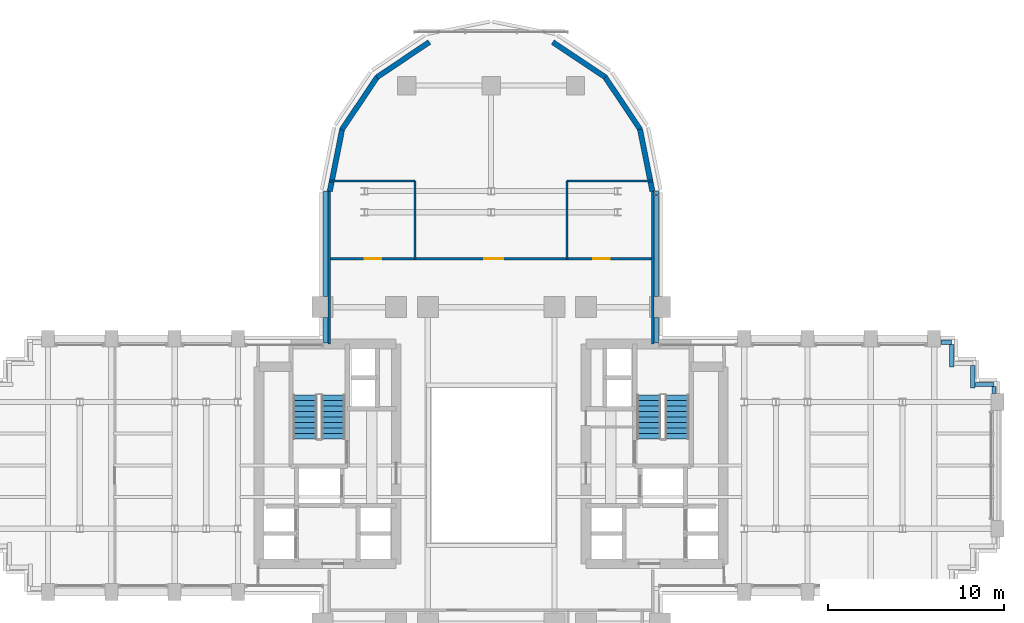
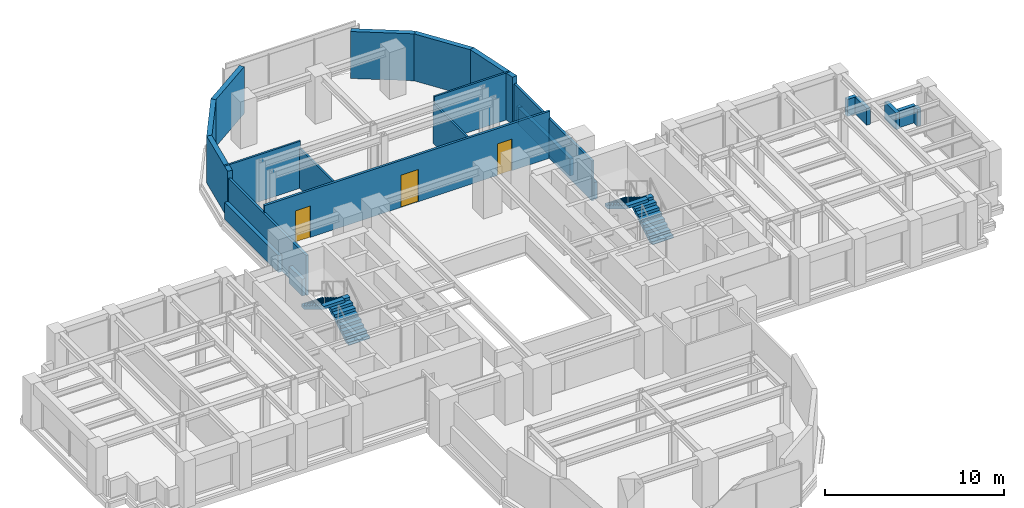
# One storey, part 12 of 16: 23 walls, 4 stair flights, 3 doors, 3 openings, 2 elements without a shape of their own.
"""IFC4 building model written with IfcOpenShell, lengths in metres."""

from ifc_helpers import new_model, si_unit, direction, frame, frame_2d, origin, place, context, subcontext, project, spatial, polyline, rectangle, outline, extrude, source, transform, mapped, material, layer, layer_set, type_object, element, fill, aggregate, save


model = new_model("IFC4")

# Units and contexts
model_context = context("Model", 3, precision=1e-05, world=origin(), true_north=direction((0.0, 1.0)))
body_context = subcontext(model_context, "Body", "Model", "MODEL_VIEW")
ifc_project = project(units=[si_unit("LENGTHUNIT", "METRE"), si_unit("AREAUNIT", "SQUARE_METRE"), si_unit("VOLUMEUNIT", "CUBIC_METRE"), si_unit("PLANEANGLEUNIT", "RADIAN"), si_unit("MASSUNIT", "GRAM", prefix="KILO")], contexts=[model_context])

# Site, building, storey
site_placement = place(None, origin())
site = spatial("IfcSite", under=ifc_project, at=site_placement, CompositionType="ELEMENT")
building_placement = place(site_placement, origin())
building = spatial("IfcBuilding", under=site, at=building_placement, Name="Keilestroom Media Tower", CompositionType="ELEMENT")
storey_placement = place(building_placement, frame((0.0, 0.0, 68.0)))
storey = spatial("IfcBuildingStorey", under=building, at=storey_placement, Name="L17", CompositionType="ELEMENT", Elevation=68.0)

# Walls
ifc_material_1 = material(Name="Precast concrete C40/50", Category="concrete")
ifc_layer_1 = layer(ifc_material_1, 0.300048828125)
ifc_layer_set_1 = layer_set([ifc_layer_1], Name="Precast concrete C40/50")
wall_type_1 = type_object("IfcWallType", Name="Exterior-Masonry-Spandrel-Wall-300", PredefinedType="SOLIDWALL", material=ifc_layer_set_1)
for number, where, z_axis, x_axis, name in (
    (1, (9.1748046875, 15.585205078125, 0.0), (0.0, 0.0, 1.0), (-0.195114232679, 0.980780523974, 0.0), "L17 Lobe Facet Precast Frame Wall 01"),
    (2, (8.48193359375, 19.097412109375, 0.0), (0.0, 0.0, 1.0), (-0.555574187116, 0.831466970246, 0.0), "L17 Lobe Facet Precast Frame Wall 02"),
):
    element("IfcWall", number, at=place(storey_placement, frame(where, z_axis=z_axis, x_axis=x_axis)), inside=storey, type_object=wall_type_1, Name=name, PredefinedType="SOLIDWALL", context=body_context, shape_type="SweptSolid", body=[
        extrude(rectangle(XDim=3.608642578125, YDim=0.300048828125, at=frame_2d((1.80419921875, 0.0))), origin(), (0.0, 0.0, 1.0), 3.199951171875),
    ])
for number, where, z_axis, x_axis, name in (
    (3, (6.497802734375, 22.0771484375, 0.0), (0.0, 0.0, 1.0), (-0.8314749531, 0.555562239868, 0.0), "L17 Lobe Facet Precast Frame Wall 03"),
    (4, (-3.510009765625, 24.073486328125, 0.0), (0.0, 0.0, 1.0), (-0.8314749531, -0.555562239868, 0.0), "L17 Lobe Facet Precast Frame Wall 04"),
):
    element("IfcWall", number, at=place(storey_placement, frame(where, z_axis=z_axis, x_axis=x_axis)), inside=storey, type_object=wall_type_1, Name=name, PredefinedType="SOLIDWALL", context=body_context, shape_type="SweptSolid", body=[
        extrude(rectangle(XDim=3.59326171875, YDim=0.300048828125, at=frame_2d((1.796630859375, 0.0))), origin(), (0.0, 0.0, 1.0), 3.199951171875),
    ])
for number, where, z_axis, x_axis, name in (
    (5, (-6.47705078125, 22.097900390625, 0.0), (0.0, 0.0, 1.0), (-0.555574187116, -0.831466970246, 0.0), "L17 Lobe Facet Precast Frame Wall 05"),
    (6, (-8.470703125, 19.12451171875, 0.0), (0.0, 0.0, 1.0), (-0.195114232679, -0.980780523974, 0.0), "L17 Lobe Facet Precast Frame Wall 06"),
):
    element("IfcWall", number, at=place(storey_placement, frame(where, z_axis=z_axis, x_axis=x_axis)), inside=storey, type_object=wall_type_1, Name=name, PredefinedType="SOLIDWALL", context=body_context, shape_type="SweptSolid", body=[
        extrude(rectangle(XDim=3.608642578125, YDim=0.300048828125, at=frame_2d((1.80419921875, 0.0))), origin(), (0.0, 0.0, 1.0), 3.199951171875),
    ])
ifc_material_2 = material(Name="Gypsum Plasterboard & Steel Stud", Category="steel")
ifc_layer_2 = layer(ifc_material_2, 0.1201171875)
ifc_layer_set_2 = layer_set([ifc_layer_2], Name="Gypsum Plasterboard & Steel Stud")
wall_type_2 = type_object("IfcWallType", Name="Interior-Partition-Wall-120", PredefinedType="PARTITIONING", material=ifc_layer_set_2)
for number, where, z_axis, x_axis, name in (
    (7, (-9.199951171875, 16.169921875, 0.0), (0.0, 0.0, 1.0), (1.0, 0.0, 0.0), "L17 Interior Wall WP-L17-NL-HW"),
    (8, (4.320068359375, 16.169921875, 0.0), (0.0, 0.0, 1.0), (1.0, 0.0, 0.0), "L17 Interior Wall WP-L17-NL-HE"),
):
    element("IfcWall", number, at=place(storey_placement, frame(where, z_axis=z_axis, x_axis=x_axis)), inside=storey, type_object=wall_type_2, Name=name, PredefinedType="PARTITIONING", context=body_context, shape_type="SweptSolid", body=[
        extrude(rectangle(XDim=4.8798828125, YDim=0.1201171875, at=frame_2d((2.43994140625, 0.0))), origin(), (0.0, 0.0, 1.0), 3.199951171875),
    ])
for number, where, z_axis, x_axis, name in (
    (9, (-4.320068359375, 11.75, 0.0), (0.0, 0.0, 1.0), (0.0, 1.0, 0.0), "L17 Interior Wall WP-L17-NL-VW2"),
    (10, (4.320068359375, 11.75, 0.0), (0.0, 0.0, 1.0), (0.0, 1.0, 0.0), "L17 Interior Wall WP-L17-NL-VE2"),
):
    element("IfcWall", number, at=place(storey_placement, frame(where, z_axis=z_axis, x_axis=x_axis)), inside=storey, type_object=wall_type_2, Name=name, PredefinedType="PARTITIONING", context=body_context, shape_type="SweptSolid", body=[
        extrude(rectangle(XDim=4.419921875, YDim=0.1201171875, at=frame_2d((2.2099609375, 0.0))), origin(), (0.0, 0.0, 1.0), 2.7099609375),
    ])

# Wall, openings, doors
ifc_layer_3 = layer(ifc_material_2, 0.14990234375)
ifc_layer_set_3 = layer_set([ifc_layer_3], Name="Gypsum Plasterboard & Steel Stud")
wall_type_3 = type_object("IfcWallType", Name="Interior-Partition-Wall-150", PredefinedType="PARTITIONING", material=ifc_layer_set_3)
wall_1_placement = place(storey_placement, frame((-9.199951171875, 11.75, 0.0), z_axis=(0.0, 0.0, 1.0), x_axis=(1.0, 0.0, 0.0)))
wall_1 = element("IfcWall", 11, at=wall_1_placement, inside=storey, type_object=wall_type_3, Name="L17 Interior Wall WP-L17-NL-BASE", PredefinedType="PARTITIONING", context=body_context, shape_type="SweptSolid", body=[
    extrude(rectangle(XDim=18.39990234375, YDim=0.14990234375, at=frame_2d((9.199951171875, 0.0))), origin(), (0.0, 0.0, 1.0), 3.199951171875),
])
opening_1_placement = place(wall_1_placement, frame((2.0, 0.0, 0.0)))
opening_1 = element("IfcOpeningElement", 12, at=opening_1_placement, cuts=wall_1, Name="Opening DI-03", PredefinedType="OPENING", context=body_context, shape_type="SweptSolid", body=[
    extrude(rectangle(XDim=0.949951171875, YDim=2.14990234375, at=frame_2d((0.47509765625, 1.074951171875))), frame((0.0, 0.0849609375, 0.0), z_axis=(0.0, -1.0, 0.0), x_axis=(1.0, 0.0, 0.0)), (0.0, 0.0, 1.0), 0.169921875),
])
opening_2_placement = place(wall_1_placement, frame((15.0, 0.0, 0.0)))
opening_2 = element("IfcOpeningElement", 13, at=opening_2_placement, cuts=wall_1, Name="Opening DI-03", PredefinedType="OPENING", context=body_context, shape_type="SweptSolid", body=[
    extrude(rectangle(XDim=0.949951171875, YDim=2.14990234375, at=frame_2d((0.47509765625, 1.074951171875))), frame((0.0, 0.0849609375, 0.0), z_axis=(0.0, -1.0, 0.0), x_axis=(1.0, 0.0, 0.0)), (0.0, 0.0, 1.0), 0.169921875),
])
opening_3_placement = place(wall_1_placement, frame((8.800048828125, 0.0, 0.0)))
opening_3 = element("IfcOpeningElement", 14, at=opening_3_placement, cuts=wall_1, Name="Opening DI-04", PredefinedType="OPENING", context=body_context, shape_type="SweptSolid", body=[
    extrude(rectangle(XDim=1.10009765625, YDim=2.199951171875, at=frame_2d((0.550048828125, 1.10009765625))), frame((0.0, 0.0849609375, 0.0), z_axis=(0.0, -1.0, 0.0), x_axis=(1.0, 0.0, 0.0)), (0.0, 0.0, 1.0), 0.169921875),
])
ifc_material_3 = material(Name="Lacquered European Oak Leaf", Category="wood")
door_type_1 = type_object("IfcDoorType", Name="Interior-Room-And-Suite-Door-DI-03", OperationType="NOTDEFINED", PredefinedType="DOOR", material=ifc_material_3)
shared_shape_1 = source(origin(), body_context, "Body", "SweptSolid", [
    extrude(rectangle(XDim=0.949951171875, YDim=2.14990234375, at=frame_2d((0.47509765625, 1.074951171875))), frame((0.0, 0.02490234375, 0.0), z_axis=(0.0, -1.0, 0.0), x_axis=(1.0, 0.0, 0.0)), (0.0, 0.0, 1.0), 0.050048828125),
])
door_1_placement = place(opening_1_placement, origin())
door_1 = element("IfcDoor", 15, at=door_1_placement, inside=storey, type_object=door_type_1, Name="L17 Interior Door DI-L17-DNL-FRW", OperationType="SINGLE_SWING_LEFT", OverallHeight=2.14990234375, OverallWidth=0.949951171875, PredefinedType="DOOR", context=body_context, shape_type="MappedRepresentation", body=[
    mapped(shared_shape_1, transform((0.0, 0.0, 0.0), x_axis=(1.0, 0.0, 0.0), y_axis=(0.0, 1.0, 0.0), z_axis=(0.0, 0.0, 1.0), scale=1.0)),
])
fill(opening_1, door_1)
door_2_placement = place(opening_2_placement, origin())
door_2 = element("IfcDoor", 16, at=door_2_placement, inside=storey, type_object=door_type_1, Name="L17 Interior Door DI-L17-DNL-FRE", OperationType="SINGLE_SWING_RIGHT", OverallHeight=2.14990234375, OverallWidth=0.949951171875, PredefinedType="DOOR", context=body_context, shape_type="MappedRepresentation", body=[
    mapped(shared_shape_1, transform((0.0, 0.0, 0.0), x_axis=(1.0, 0.0, 0.0), y_axis=(0.0, 1.0, 0.0), z_axis=(0.0, 0.0, 1.0), scale=1.0)),
])
fill(opening_2, door_2)
ifc_material_4 = material(Name="Acoustic Glazed Aluminium Leaf", Category="aluminium")
door_type_2 = type_object("IfcDoorType", Name="Interior-Room-And-Suite-Door-DI-04", OperationType="NOTDEFINED", PredefinedType="DOOR", material=ifc_material_4)
shared_shape_2 = source(origin(), body_context, "Body", "SweptSolid", [
    extrude(rectangle(XDim=1.10009765625, YDim=2.199951171875, at=frame_2d((0.550048828125, 1.10009765625))), frame((0.0, 0.02490234375, 0.0), z_axis=(0.0, -1.0, 0.0), x_axis=(1.0, 0.0, 0.0)), (0.0, 0.0, 1.0), 0.050048828125),
])
door_3_placement = place(opening_3_placement, origin())
door_3 = element("IfcDoor", 17, at=door_3_placement, inside=storey, type_object=door_type_2, Name="L17 Interior Door DI-L17-DNL-REAR", OperationType="SINGLE_SWING_LEFT", OverallHeight=2.199951171875, OverallWidth=1.10009765625, PredefinedType="DOOR", context=body_context, shape_type="MappedRepresentation", body=[
    mapped(shared_shape_2, transform((0.0, 0.0, 0.0), x_axis=(1.0, 0.0, 0.0), y_axis=(0.0, 1.0, 0.0), z_axis=(0.0, 0.0, 1.0), scale=1.0)),
])
fill(opening_3, door_3)

# Walls
for number, where, z_axis, x_axis, name in (
    (18, (-9.199951171875, 6.89990234375, 0.0), (0.0, 0.0, 1.0), (0.0, 1.0, 0.0), "L17 Interior Wall WP-L17-NL-CHKW"),
    (19, (9.199951171875, 6.89990234375, 0.0), (0.0, 0.0, 1.0), (0.0, 1.0, 0.0), "L17 Interior Wall WP-L17-NL-CHKE"),
):
    element("IfcWall", number, at=place(storey_placement, frame(where, z_axis=z_axis, x_axis=x_axis)), inside=storey, type_object=wall_type_3, Name=name, PredefinedType="PARTITIONING", context=body_context, shape_type="SweptSolid", body=[
        extrude(rectangle(XDim=8.780029296875, YDim=0.14990234375, at=frame_2d((4.39013671875, 0.0))), origin(), (0.0, 0.0, 1.0), 2.7099609375),
    ])
ifc_layer_4 = layer(ifc_material_1, 0.239990234375)
ifc_layer_set_4 = layer_set([ifc_layer_4], Name="Precast concrete C40/50")
wall_type_4 = type_object("IfcWallType", Name="Roof-And-Terrace-Parapet-Wall-240", PredefinedType="PARAPET", material=ifc_layer_set_4)
wall_2_placement = place(storey_placement, frame((-9.39990234375, 6.952880859375, 0.0), z_axis=(0.0, 0.0, 1.0), x_axis=(0.0, 1.0, 0.0)))
element("IfcWall", 20, at=wall_2_placement, inside=storey, type_object=wall_type_4, Name="L17 Perimeter Edge Parapet Wall 24", PredefinedType="PARAPET", context=body_context, shape_type="SweptSolid", body=[
    extrude(rectangle(XDim=1.444091796875, YDim=0.239990234375, at=frame_2d((0.72216796875, 0.0))), origin(), (0.0, 0.0, 1.0), 1.14990234375),
])
wall_3_placement = place(storey_placement, frame((-9.39990234375, 9.60302734375, 0.0), z_axis=(0.0, 0.0, 1.0), x_axis=(0.0, 1.0, 0.0)))
element("IfcWall", 21, at=wall_3_placement, inside=storey, type_object=wall_type_4, Name="L17 Perimeter Edge Parapet Wall 25", PredefinedType="PARAPET", context=body_context, shape_type="SweptSolid", body=[
    extrude(rectangle(XDim=5.999755859375, YDim=0.239990234375, at=frame_2d((3.0, 0.0))), origin(), (0.0, 0.0, 1.0), 1.14990234375),
])
wall_4_placement = place(storey_placement, frame((9.395263671875, 15.604248046875, 0.0), z_axis=(0.0, 0.0, 1.0), x_axis=(0.194652052864, -0.980872355771, 0.0)))
element("IfcWall", 22, at=wall_4_placement, inside=storey, type_object=wall_type_4, Name="L17 Perimeter Edge Parapet Wall 26", PredefinedType="PARAPET", context=body_context, shape_type="SweptSolid", body=[
    extrude(rectangle(XDim=0.224609375, YDim=0.239990234375, at=frame_2d((0.1123046875, 0.0))), origin(), (0.0, 0.0, 1.0), 1.14990234375),
])
wall_5_placement = place(storey_placement, frame((9.39990234375, 15.357666015625, 0.0), z_axis=(0.0, 0.0, 1.0), x_axis=(0.0, -1.0, 0.0)))
element("IfcWall", 23, at=wall_5_placement, inside=storey, type_object=wall_type_4, Name="L17 Perimeter Edge Parapet Wall 27", PredefinedType="PARAPET", context=body_context, shape_type="SweptSolid", body=[
    extrude(rectangle(XDim=5.754638671875, YDim=0.239990234375, at=frame_2d((2.87744140625, 0.0))), origin(), (0.0, 0.0, 1.0), 1.14990234375),
])
wall_6_placement = place(storey_placement, frame((9.39990234375, 8.39697265625, 0.0), z_axis=(0.0, 0.0, 1.0), x_axis=(0.0, -1.0, 0.0)))
element("IfcWall", 24, at=wall_6_placement, inside=storey, type_object=wall_type_4, Name="L17 Perimeter Edge Parapet Wall 28", PredefinedType="PARAPET", context=body_context, shape_type="SweptSolid", body=[
    extrude(rectangle(XDim=1.444091796875, YDim=0.239990234375, at=frame_2d((0.72216796875, 0.0))), origin(), (0.0, 0.0, 1.0), 1.14990234375),
])
wall_7_placement = place(storey_placement, frame((25.577880859375, 7.0, 0.0), z_axis=(0.0, 0.0, 1.0), x_axis=(1.0, 0.0, 0.0)))
element("IfcWall", 25, at=wall_7_placement, inside=storey, type_object=wall_type_4, Name="L17 Perimeter Edge Parapet Wall 29", PredefinedType="PARAPET", context=body_context, shape_type="SweptSolid", body=[
    extrude(rectangle(XDim=0.6220703125, YDim=0.239990234375, at=frame_2d((0.31103515625, 0.0))), origin(), (0.0, 0.0, 1.0), 1.14990234375),
])
wall_8_placement = place(storey_placement, frame((26.199951171875, 6.876953125, 0.0), z_axis=(0.0, 0.0, 1.0), x_axis=(0.0, -1.0, 0.0)))
element("IfcWall", 26, at=wall_8_placement, inside=storey, type_object=wall_type_4, Name="L17 Perimeter Edge Parapet Wall 30", PredefinedType="PARAPET", context=body_context, shape_type="SweptSolid", body=[
    extrude(rectangle(XDim=1.27685546875, YDim=0.239990234375, at=frame_2d((0.638427734375, 0.0))), origin(), (0.0, 0.0, 1.0), 1.14990234375),
])
wall_9_placement = place(storey_placement, frame((27.39990234375, 5.677001953125, 0.0), z_axis=(0.0, 0.0, 1.0), x_axis=(0.0, -1.0, 0.0)))
element("IfcWall", 27, at=wall_9_placement, inside=storey, type_object=wall_type_4, Name="L17 Perimeter Edge Parapet Wall 32", PredefinedType="PARAPET", context=body_context, shape_type="SweptSolid", body=[
    extrude(rectangle(XDim=1.277099609375, YDim=0.239990234375, at=frame_2d((0.638671875, 0.0))), origin(), (0.0, 0.0, 1.0), 1.14990234375),
])
wall_10_placement = place(storey_placement, frame((27.52294921875, 4.60009765625, 0.0), z_axis=(0.0, 0.0, 1.0), x_axis=(1.0, 0.0, 0.0)))
element("IfcWall", 28, at=wall_10_placement, inside=storey, type_object=wall_type_4, Name="L17 Perimeter Edge Parapet Wall 33", PredefinedType="PARAPET", context=body_context, shape_type="SweptSolid", body=[
    extrude(rectangle(XDim=1.0771484375, YDim=0.239990234375, at=frame_2d((0.53857421875, 0.0))), origin(), (0.0, 0.0, 1.0), 1.14990234375),
])
wall_11_placement = place(storey_placement, frame((28.60009765625, 4.47705078125, 0.0), z_axis=(0.0, 0.0, 1.0), x_axis=(0.0, -1.0, 0.0)))
element("IfcWall", 29, at=wall_11_placement, inside=storey, type_object=wall_type_4, Name="L17 Perimeter Edge Parapet Wall 34", PredefinedType="PARAPET", context=body_context, shape_type="SweptSolid", body=[
    extrude(rectangle(XDim=0.399169921875, YDim=0.239990234375, at=frame_2d((0.19970703125, 0.0))), origin(), (0.0, 0.0, 1.0), 1.14990234375),
])

# Stair, stair flights
ifc_material_5 = material(Name="Concrete C45/55", Category="concrete")
stair_type = type_object("IfcStairType", Name="Enclosed-Dog-Leg-Stair-ST-CORE", PredefinedType="HALF_TURN_STAIR", material=ifc_material_5)
stair_1_placement = place(storey_placement, origin())
stair_1 = element("IfcStair", 30, at=stair_1_placement, inside=storey, type_object=stair_type, Name="L17 West Core Escape Stair ST-1", PredefinedType="HALF_TURN_STAIR")
stair_flight_type = type_object("IfcStairFlightType", Name="Precast-Concrete-Stair-Flight-Core-160", PredefinedType="STRAIGHT", material=ifc_material_1)
stair_flight_1_placement = place(storey_placement, frame((-8.97998046875, 1.5, 0.0), z_axis=(0.0, 0.0, 1.0), x_axis=(0.0, 1.0, 0.0)))
stair_flight_1 = element("IfcStairFlight", 31, at=stair_flight_1_placement, type_object=stair_flight_type, Name="ST-1 flight 1", NumberOfRisers=9, NumberOfTreads=8, PredefinedType="STRAIGHT", RiserHeight=0.188888889, TreadLength=0.312, context=body_context, shape_type="SweptSolid", body=[
    extrude(outline(polyline([(0.0, 0.0), (0.0, 0.18896484375), (0.31201171875, 0.18896484375), (0.31201171875, 0.377685546875), (0.6240234375, 0.377685546875), (0.6240234375, 0.566650390625), (0.93603515625, 0.566650390625), (0.93603515625, 0.755615234375), (1.248046875, 0.755615234375), (1.248046875, 0.9443359375), (1.56005859375, 0.9443359375), (1.56005859375, 1.13330078125), (1.8720703125, 1.13330078125), (1.8720703125, 1.322265625), (2.18408203125, 1.322265625), (2.18408203125, 1.51123046875), (2.49609375, 1.51123046875), (2.49609375, 1.699951171875), (2.49609375, 1.32421875), (0.308837890625, 0.0), (0.0, 0.0)])), frame((0.0, 0.68017578125, 0.0), z_axis=(0.0, -1.0, 0.0), x_axis=(1.0, 0.0, 0.0)), (0.0, 0.0, 1.0), 1.360107421875),
])
stair_flight_2_placement = place(storey_placement, frame((-10.580078125, 3.99609375, 1.699951171875), z_axis=(0.0, 0.0, 1.0), x_axis=(0.0, -1.0, 0.0)))
stair_flight_2 = element("IfcStairFlight", 32, at=stair_flight_2_placement, type_object=stair_flight_type, Name="ST-1 flight 2", NumberOfRisers=9, NumberOfTreads=8, PredefinedType="STRAIGHT", RiserHeight=0.188888889, TreadLength=0.312, context=body_context, shape_type="SweptSolid", body=[
    extrude(outline(polyline([(0.0, 0.0), (0.0, 0.18896484375), (0.31201171875, 0.18896484375), (0.31201171875, 0.377685546875), (0.6240234375, 0.377685546875), (0.6240234375, 0.566650390625), (0.93603515625, 0.566650390625), (0.93603515625, 0.755615234375), (1.248046875, 0.755615234375), (1.248046875, 0.9443359375), (1.56005859375, 0.9443359375), (1.56005859375, 1.13330078125), (1.8720703125, 1.13330078125), (1.8720703125, 1.322265625), (2.18408203125, 1.322265625), (2.18408203125, 1.51123046875), (2.49609375, 1.51123046875), (2.49609375, 1.699951171875), (2.49609375, 1.32421875), (0.308837890625, 0.0), (0.0, 0.0)])), frame((0.0, 0.68017578125, 0.0), z_axis=(0.0, -1.0, 0.0), x_axis=(1.0, 0.0, 0.0)), (0.0, 0.0, 1.0), 1.360107421875),
])
aggregate(stair_1, [stair_flight_1, stair_flight_2])

stair_2_placement = place(storey_placement, origin())
stair_2 = element("IfcStair", 33, at=stair_2_placement, inside=storey, type_object=stair_type, Name="L17 East Core Escape Stair ST-2", PredefinedType="HALF_TURN_STAIR")
stair_flight_3_placement = place(storey_placement, frame((10.580078125, 1.5, 0.0), z_axis=(0.0, 0.0, 1.0), x_axis=(0.0, 1.0, 0.0)))
stair_flight_3 = element("IfcStairFlight", 34, at=stair_flight_3_placement, type_object=stair_flight_type, Name="ST-2 flight 1", NumberOfRisers=9, NumberOfTreads=8, PredefinedType="STRAIGHT", RiserHeight=0.188888889, TreadLength=0.312, context=body_context, shape_type="SweptSolid", body=[
    extrude(outline(polyline([(0.0, 0.0), (0.0, 0.18896484375), (0.31201171875, 0.18896484375), (0.31201171875, 0.377685546875), (0.6240234375, 0.377685546875), (0.6240234375, 0.566650390625), (0.93603515625, 0.566650390625), (0.93603515625, 0.755615234375), (1.248046875, 0.755615234375), (1.248046875, 0.9443359375), (1.56005859375, 0.9443359375), (1.56005859375, 1.13330078125), (1.8720703125, 1.13330078125), (1.8720703125, 1.322265625), (2.18408203125, 1.322265625), (2.18408203125, 1.51123046875), (2.49609375, 1.51123046875), (2.49609375, 1.699951171875), (2.49609375, 1.32421875), (0.308837890625, 0.0), (0.0, 0.0)])), frame((0.0, 0.68017578125, 0.0), z_axis=(0.0, -1.0, 0.0), x_axis=(1.0, 0.0, 0.0)), (0.0, 0.0, 1.0), 1.360107421875),
])
stair_flight_4_placement = place(storey_placement, frame((8.97998046875, 3.99609375, 1.699951171875), z_axis=(0.0, 0.0, 1.0), x_axis=(0.0, -1.0, 0.0)))
stair_flight_4 = element("IfcStairFlight", 35, at=stair_flight_4_placement, type_object=stair_flight_type, Name="ST-2 flight 2", NumberOfRisers=9, NumberOfTreads=8, PredefinedType="STRAIGHT", RiserHeight=0.188888889, TreadLength=0.312, context=body_context, shape_type="SweptSolid", body=[
    extrude(outline(polyline([(0.0, 0.0), (0.0, 0.18896484375), (0.31201171875, 0.18896484375), (0.31201171875, 0.377685546875), (0.6240234375, 0.377685546875), (0.6240234375, 0.566650390625), (0.93603515625, 0.566650390625), (0.93603515625, 0.755615234375), (1.248046875, 0.755615234375), (1.248046875, 0.9443359375), (1.56005859375, 0.9443359375), (1.56005859375, 1.13330078125), (1.8720703125, 1.13330078125), (1.8720703125, 1.322265625), (2.18408203125, 1.322265625), (2.18408203125, 1.51123046875), (2.49609375, 1.51123046875), (2.49609375, 1.699951171875), (2.49609375, 1.32421875), (0.308837890625, 0.0), (0.0, 0.0)])), frame((0.0, 0.68017578125, 0.0), z_axis=(0.0, -1.0, 0.0), x_axis=(1.0, 0.0, 0.0)), (0.0, 0.0, 1.0), 1.360107421875),
])
aggregate(stair_2, [stair_flight_3, stair_flight_4])

save(model, "model.ifc")
